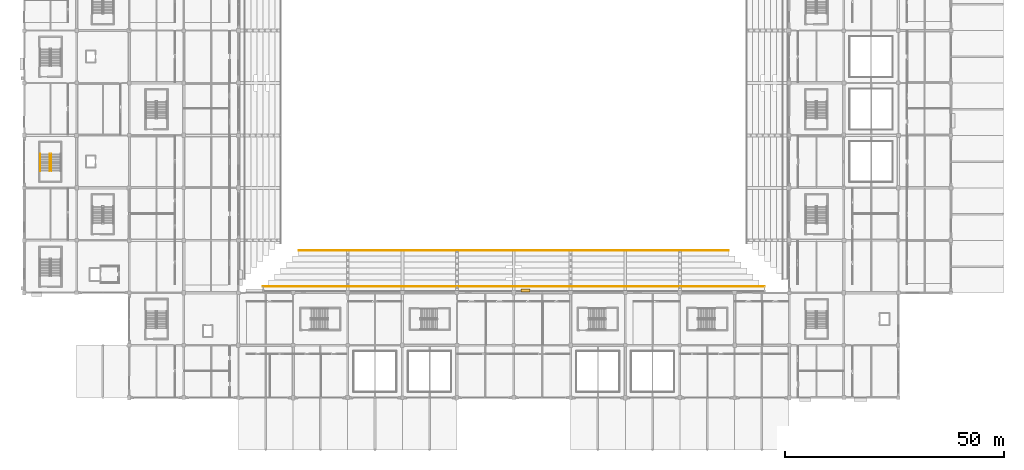
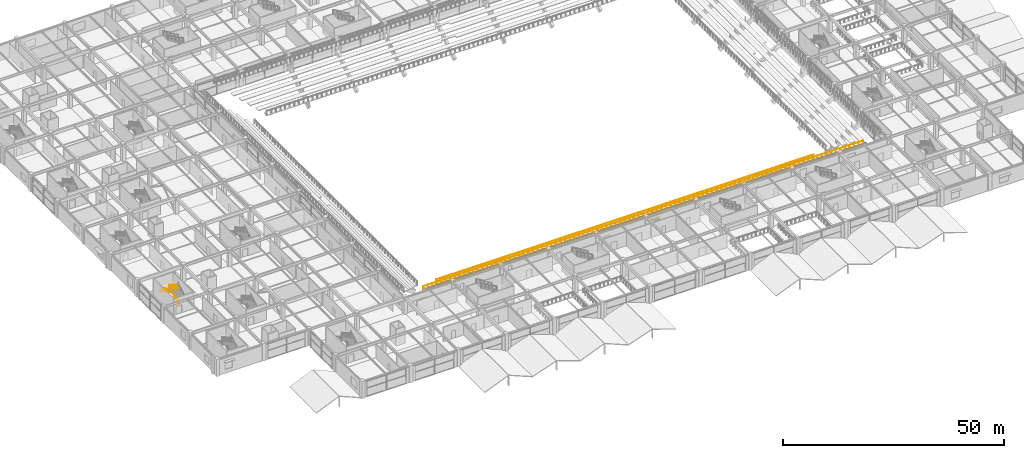
# One storey, part 103 of 134: 5 railings, 1 shading device.
"""IFC4 building model written with IfcOpenShell, lengths in metres."""

from ifc_helpers import new_model, si_unit, direction, frame, origin, origin_2d, place, context, subcontext, project, spatial, rectangle, circle, extrude, material, layer, layer_set, type_object, element, save


model = new_model("IFC4")

# Units and contexts
model_context = context("Model", 3, precision=1e-05, world=origin(), true_north=direction((0.0, 1.0)))
body_context = subcontext(model_context, "Body", "Model", "MODEL_VIEW")
ifc_project = project(units=[si_unit("LENGTHUNIT", "METRE"), si_unit("AREAUNIT", "SQUARE_METRE"), si_unit("VOLUMEUNIT", "CUBIC_METRE"), si_unit("PLANEANGLEUNIT", "RADIAN"), si_unit("MASSUNIT", "GRAM", prefix="KILO")], contexts=[model_context])

# Site, building, storey
site_placement = place(None, origin())
site = spatial("IfcSite", under=ifc_project, at=site_placement, CompositionType="ELEMENT")
building_placement = place(site_placement, origin())
building = spatial("IfcBuilding", under=site, at=building_placement, Name="Kazenohara Klinker Stadium", CompositionType="ELEMENT")
storey_placement = place(building_placement, frame((0.0, 0.0, 5.39990234375)))
storey = spatial("IfcBuildingStorey", under=building, at=storey_placement, Name="L01", CompositionType="ELEMENT", Elevation=5.39990234375)

# Railings
ifc_material_1 = material(Name="Galvanised powder-coated steel guardrail", Category="steel")
ifc_layer_1 = layer(ifc_material_1, 0.070068359375)
ifc_layer_set_1 = layer_set([ifc_layer_1], Name="Galvanised powder-coated steel guardrail")
railing_type_1 = type_object("IfcRailingType", Name="RL-GRD-1150", PredefinedType="GUARDRAIL", material=ifc_layer_set_1)
railing_1_placement = place(storey_placement, frame((54.59130859375, 37.451416015625, 3.400146484375)))
element("IfcRailing", 1, at=railing_1_placement, inside=storey, type_object=railing_type_1, Name="Spectator stand sightline guardrail TIER-LOWER-S-01-N", PredefinedType="GUARDRAIL", context=body_context, shape_type="SweptSolid", body=[
    extrude(circle(Radius=0.02392578125, at=origin_2d()), frame((0.0, 0.0, 1.1259765625), z_axis=(1.0, 0.0, 0.0), x_axis=(0.0, 1.0, 0.0)), (0.0, 0.0, 1.0), 114.8173828125),
    extrude(circle(Radius=0.02099609375, at=origin_2d()), origin(), (0.0, 0.0, 1.0), 1.101806640625),
    extrude(circle(Radius=0.02099609375, at=origin_2d()), frame((1.196044921875, 0.0, 0.0)), (0.0, 0.0, 1.0), 1.101806640625),
    extrude(circle(Radius=0.02099609375, at=origin_2d()), frame((2.39208984375, 0.0, 0.0)), (0.0, 0.0, 1.0), 1.101806640625),
    extrude(circle(Radius=0.02099609375, at=origin_2d()), frame((3.588134765625, 0.0, 0.0)), (0.0, 0.0, 1.0), 1.101806640625),
    extrude(circle(Radius=0.02099609375, at=origin_2d()), frame((4.7841796875, 0.0, 0.0)), (0.0, 0.0, 1.0), 1.101806640625),
    extrude(circle(Radius=0.02099609375, at=origin_2d()), frame((5.97998046875, 0.0, 0.0)), (0.0, 0.0, 1.0), 1.101806640625),
    extrude(circle(Radius=0.02099609375, at=origin_2d()), frame((7.176025390625, 0.0, 0.0)), (0.0, 0.0, 1.0), 1.101806640625),
    extrude(circle(Radius=0.02099609375, at=origin_2d()), frame((8.3720703125, 0.0, 0.0)), (0.0, 0.0, 1.0), 1.101806640625),
    extrude(circle(Radius=0.02099609375, at=origin_2d()), frame((9.568115234375, 0.0, 0.0)), (0.0, 0.0, 1.0), 1.101806640625),
    extrude(circle(Radius=0.02099609375, at=origin_2d()), frame((10.76416015625, 0.0, 0.0)), (0.0, 0.0, 1.0), 1.101806640625),
    extrude(circle(Radius=0.02099609375, at=origin_2d()), frame((11.960205078125, 0.0, 0.0)), (0.0, 0.0, 1.0), 1.101806640625),
    extrude(circle(Radius=0.02099609375, at=origin_2d()), frame((13.15625, 0.0, 0.0)), (0.0, 0.0, 1.0), 1.101806640625),
    extrude(circle(Radius=0.02099609375, at=origin_2d()), frame((14.35205078125, 0.0, 0.0)), (0.0, 0.0, 1.0), 1.101806640625),
    extrude(circle(Radius=0.02099609375, at=origin_2d()), frame((15.548095703125, 0.0, 0.0)), (0.0, 0.0, 1.0), 1.101806640625),
    extrude(circle(Radius=0.02099609375, at=origin_2d()), frame((16.744140625, 0.0, 0.0)), (0.0, 0.0, 1.0), 1.101806640625),
    extrude(circle(Radius=0.02099609375, at=origin_2d()), frame((17.940185546875, 0.0, 0.0)), (0.0, 0.0, 1.0), 1.101806640625),
    extrude(circle(Radius=0.02099609375, at=origin_2d()), frame((19.13623046875, 0.0, 0.0)), (0.0, 0.0, 1.0), 1.101806640625),
    extrude(circle(Radius=0.02099609375, at=origin_2d()), frame((20.332275390625, 0.0, 0.0)), (0.0, 0.0, 1.0), 1.101806640625),
    extrude(circle(Radius=0.02099609375, at=origin_2d()), frame((21.5283203125, 0.0, 0.0)), (0.0, 0.0, 1.0), 1.101806640625),
    extrude(circle(Radius=0.02099609375, at=origin_2d()), frame((22.724365234375, 0.0, 0.0)), (0.0, 0.0, 1.0), 1.101806640625),
    extrude(circle(Radius=0.02099609375, at=origin_2d()), frame((23.92041015625, 0.0, 0.0)), (0.0, 0.0, 1.0), 1.101806640625),
    extrude(circle(Radius=0.02099609375, at=origin_2d()), frame((25.1162109375, 0.0, 0.0)), (0.0, 0.0, 1.0), 1.101806640625),
    extrude(circle(Radius=0.02099609375, at=origin_2d()), frame((26.312255859375, 0.0, 0.0)), (0.0, 0.0, 1.0), 1.101806640625),
    extrude(circle(Radius=0.02099609375, at=origin_2d()), frame((27.50830078125, 0.0, 0.0)), (0.0, 0.0, 1.0), 1.101806640625),
    extrude(circle(Radius=0.02099609375, at=origin_2d()), frame((28.704345703125, 0.0, 0.0)), (0.0, 0.0, 1.0), 1.101806640625),
    extrude(circle(Radius=0.02099609375, at=origin_2d()), frame((29.900390625, 0.0, 0.0)), (0.0, 0.0, 1.0), 1.101806640625),
    extrude(circle(Radius=0.02099609375, at=origin_2d()), frame((31.096435546875, 0.0, 0.0)), (0.0, 0.0, 1.0), 1.101806640625),
    extrude(circle(Radius=0.02099609375, at=origin_2d()), frame((32.29248046875, 0.0, 0.0)), (0.0, 0.0, 1.0), 1.101806640625),
    extrude(circle(Radius=0.02099609375, at=origin_2d()), frame((33.48828125, 0.0, 0.0)), (0.0, 0.0, 1.0), 1.101806640625),
    extrude(circle(Radius=0.02099609375, at=origin_2d()), frame((34.684326171875, 0.0, 0.0)), (0.0, 0.0, 1.0), 1.101806640625),
    extrude(circle(Radius=0.02099609375, at=origin_2d()), frame((35.88037109375, 0.0, 0.0)), (0.0, 0.0, 1.0), 1.101806640625),
    extrude(circle(Radius=0.02099609375, at=origin_2d()), frame((37.076416015625, 0.0, 0.0)), (0.0, 0.0, 1.0), 1.101806640625),
    extrude(circle(Radius=0.02099609375, at=origin_2d()), frame((38.2724609375, 0.0, 0.0)), (0.0, 0.0, 1.0), 1.101806640625),
    extrude(circle(Radius=0.02099609375, at=origin_2d()), frame((39.468505859375, 0.0, 0.0)), (0.0, 0.0, 1.0), 1.101806640625),
    extrude(circle(Radius=0.02099609375, at=origin_2d()), frame((40.66455078125, 0.0, 0.0)), (0.0, 0.0, 1.0), 1.101806640625),
    extrude(circle(Radius=0.02099609375, at=origin_2d()), frame((41.860595703125, 0.0, 0.0)), (0.0, 0.0, 1.0), 1.101806640625),
    extrude(circle(Radius=0.02099609375, at=origin_2d()), frame((43.056640625, 0.0, 0.0)), (0.0, 0.0, 1.0), 1.101806640625),
    extrude(circle(Radius=0.02099609375, at=origin_2d()), frame((44.25244140625, 0.0, 0.0)), (0.0, 0.0, 1.0), 1.101806640625),
    extrude(circle(Radius=0.02099609375, at=origin_2d()), frame((45.448486328125, 0.0, 0.0)), (0.0, 0.0, 1.0), 1.101806640625),
    extrude(circle(Radius=0.02099609375, at=origin_2d()), frame((46.64453125, 0.0, 0.0)), (0.0, 0.0, 1.0), 1.101806640625),
    extrude(circle(Radius=0.02099609375, at=origin_2d()), frame((47.840576171875, 0.0, 0.0)), (0.0, 0.0, 1.0), 1.101806640625),
    extrude(circle(Radius=0.02099609375, at=origin_2d()), frame((49.03662109375, 0.0, 0.0)), (0.0, 0.0, 1.0), 1.101806640625),
    extrude(circle(Radius=0.02099609375, at=origin_2d()), frame((50.232666015625, 0.0, 0.0)), (0.0, 0.0, 1.0), 1.101806640625),
    extrude(circle(Radius=0.02099609375, at=origin_2d()), frame((51.4287109375, 0.0, 0.0)), (0.0, 0.0, 1.0), 1.101806640625),
    extrude(circle(Radius=0.02099609375, at=origin_2d()), frame((52.62451171875, 0.0, 0.0)), (0.0, 0.0, 1.0), 1.101806640625),
    extrude(circle(Radius=0.02099609375, at=origin_2d()), frame((53.820556640625, 0.0, 0.0)), (0.0, 0.0, 1.0), 1.101806640625),
    extrude(circle(Radius=0.02099609375, at=origin_2d()), frame((55.0166015625, 0.0, 0.0)), (0.0, 0.0, 1.0), 1.101806640625),
    extrude(circle(Radius=0.02099609375, at=origin_2d()), frame((56.212646484375, 0.0, 0.0)), (0.0, 0.0, 1.0), 1.101806640625),
    extrude(circle(Radius=0.02099609375, at=origin_2d()), frame((57.40869140625, 0.0, 0.0)), (0.0, 0.0, 1.0), 1.101806640625),
    extrude(circle(Radius=0.02099609375, at=origin_2d()), frame((58.604736328125, 0.0, 0.0)), (0.0, 0.0, 1.0), 1.101806640625),
    extrude(circle(Radius=0.02099609375, at=origin_2d()), frame((59.80078125, 0.0, 0.0)), (0.0, 0.0, 1.0), 1.101806640625),
    extrude(circle(Radius=0.02099609375, at=origin_2d()), frame((60.996826171875, 0.0, 0.0)), (0.0, 0.0, 1.0), 1.101806640625),
    extrude(circle(Radius=0.02099609375, at=origin_2d()), frame((62.192626953125, 0.0, 0.0)), (0.0, 0.0, 1.0), 1.101806640625),
    extrude(circle(Radius=0.02099609375, at=origin_2d()), frame((63.388671875, 0.0, 0.0)), (0.0, 0.0, 1.0), 1.101806640625),
    extrude(circle(Radius=0.02099609375, at=origin_2d()), frame((64.584716796875, 0.0, 0.0)), (0.0, 0.0, 1.0), 1.101806640625),
    extrude(circle(Radius=0.02099609375, at=origin_2d()), frame((65.78076171875, 0.0, 0.0)), (0.0, 0.0, 1.0), 1.101806640625),
    extrude(circle(Radius=0.02099609375, at=origin_2d()), frame((66.976806640625, 0.0, 0.0)), (0.0, 0.0, 1.0), 1.101806640625),
    extrude(circle(Radius=0.02099609375, at=origin_2d()), frame((68.1728515625, 0.0, 0.0)), (0.0, 0.0, 1.0), 1.101806640625),
    extrude(circle(Radius=0.02099609375, at=origin_2d()), frame((69.368896484375, 0.0, 0.0)), (0.0, 0.0, 1.0), 1.101806640625),
    extrude(circle(Radius=0.02099609375, at=origin_2d()), frame((70.56494140625, 0.0, 0.0)), (0.0, 0.0, 1.0), 1.101806640625),
    extrude(circle(Radius=0.02099609375, at=origin_2d()), frame((71.7607421875, 0.0, 0.0)), (0.0, 0.0, 1.0), 1.101806640625),
    extrude(circle(Radius=0.02099609375, at=origin_2d()), frame((72.956787109375, 0.0, 0.0)), (0.0, 0.0, 1.0), 1.101806640625),
    extrude(circle(Radius=0.02099609375, at=origin_2d()), frame((74.15283203125, 0.0, 0.0)), (0.0, 0.0, 1.0), 1.101806640625),
    extrude(circle(Radius=0.02099609375, at=origin_2d()), frame((75.348876953125, 0.0, 0.0)), (0.0, 0.0, 1.0), 1.101806640625),
    extrude(circle(Radius=0.02099609375, at=origin_2d()), frame((76.544921875, 0.0, 0.0)), (0.0, 0.0, 1.0), 1.101806640625),
    extrude(circle(Radius=0.02099609375, at=origin_2d()), frame((77.740966796875, 0.0, 0.0)), (0.0, 0.0, 1.0), 1.101806640625),
    extrude(circle(Radius=0.02099609375, at=origin_2d()), frame((78.93701171875, 0.0, 0.0)), (0.0, 0.0, 1.0), 1.101806640625),
    extrude(circle(Radius=0.02099609375, at=origin_2d()), frame((80.133056640625, 0.0, 0.0)), (0.0, 0.0, 1.0), 1.101806640625),
    extrude(circle(Radius=0.02099609375, at=origin_2d()), frame((81.3291015625, 0.0, 0.0)), (0.0, 0.0, 1.0), 1.101806640625),
    extrude(circle(Radius=0.02099609375, at=origin_2d()), frame((82.52490234375, 0.0, 0.0)), (0.0, 0.0, 1.0), 1.101806640625),
    extrude(circle(Radius=0.02099609375, at=origin_2d()), frame((83.720947265625, 0.0, 0.0)), (0.0, 0.0, 1.0), 1.101806640625),
    extrude(circle(Radius=0.02099609375, at=origin_2d()), frame((84.9169921875, 0.0, 0.0)), (0.0, 0.0, 1.0), 1.101806640625),
    extrude(circle(Radius=0.02099609375, at=origin_2d()), frame((86.113037109375, 0.0, 0.0)), (0.0, 0.0, 1.0), 1.101806640625),
    extrude(circle(Radius=0.02099609375, at=origin_2d()), frame((87.30908203125, 0.0, 0.0)), (0.0, 0.0, 1.0), 1.101806640625),
    extrude(circle(Radius=0.02099609375, at=origin_2d()), frame((88.505126953125, 0.0, 0.0)), (0.0, 0.0, 1.0), 1.101806640625),
    extrude(circle(Radius=0.02099609375, at=origin_2d()), frame((89.701171875, 0.0, 0.0)), (0.0, 0.0, 1.0), 1.101806640625),
    extrude(circle(Radius=0.02099609375, at=origin_2d()), frame((90.89697265625, 0.0, 0.0)), (0.0, 0.0, 1.0), 1.101806640625),
    extrude(circle(Radius=0.02099609375, at=origin_2d()), frame((92.093017578125, 0.0, 0.0)), (0.0, 0.0, 1.0), 1.101806640625),
    extrude(circle(Radius=0.02099609375, at=origin_2d()), frame((93.2890625, 0.0, 0.0)), (0.0, 0.0, 1.0), 1.101806640625),
    extrude(circle(Radius=0.02099609375, at=origin_2d()), frame((94.485107421875, 0.0, 0.0)), (0.0, 0.0, 1.0), 1.101806640625),
    extrude(circle(Radius=0.02099609375, at=origin_2d()), frame((95.68115234375, 0.0, 0.0)), (0.0, 0.0, 1.0), 1.101806640625),
    extrude(circle(Radius=0.02099609375, at=origin_2d()), frame((96.877197265625, 0.0, 0.0)), (0.0, 0.0, 1.0), 1.101806640625),
    extrude(circle(Radius=0.02099609375, at=origin_2d()), frame((98.0732421875, 0.0, 0.0)), (0.0, 0.0, 1.0), 1.101806640625),
    extrude(circle(Radius=0.02099609375, at=origin_2d()), frame((99.269287109375, 0.0, 0.0)), (0.0, 0.0, 1.0), 1.101806640625),
    extrude(circle(Radius=0.02099609375, at=origin_2d()), frame((100.46533203125, 0.0, 0.0)), (0.0, 0.0, 1.0), 1.101806640625),
    extrude(circle(Radius=0.02099609375, at=origin_2d()), frame((101.6611328125, 0.0, 0.0)), (0.0, 0.0, 1.0), 1.101806640625),
    extrude(circle(Radius=0.02099609375, at=origin_2d()), frame((102.857177734375, 0.0, 0.0)), (0.0, 0.0, 1.0), 1.101806640625),
    extrude(circle(Radius=0.02099609375, at=origin_2d()), frame((104.05322265625, 0.0, 0.0)), (0.0, 0.0, 1.0), 1.101806640625),
    extrude(circle(Radius=0.02099609375, at=origin_2d()), frame((105.249267578125, 0.0, 0.0)), (0.0, 0.0, 1.0), 1.101806640625),
    extrude(circle(Radius=0.02099609375, at=origin_2d()), frame((106.4453125, 0.0, 0.0)), (0.0, 0.0, 1.0), 1.101806640625),
    extrude(circle(Radius=0.02099609375, at=origin_2d()), frame((107.641357421875, 0.0, 0.0)), (0.0, 0.0, 1.0), 1.101806640625),
    extrude(circle(Radius=0.02099609375, at=origin_2d()), frame((108.83740234375, 0.0, 0.0)), (0.0, 0.0, 1.0), 1.101806640625),
    extrude(circle(Radius=0.02099609375, at=origin_2d()), frame((110.033203125, 0.0, 0.0)), (0.0, 0.0, 1.0), 1.101806640625),
    extrude(circle(Radius=0.02099609375, at=origin_2d()), frame((111.229248046875, 0.0, 0.0)), (0.0, 0.0, 1.0), 1.101806640625),
    extrude(circle(Radius=0.02099609375, at=origin_2d()), frame((112.42529296875, 0.0, 0.0)), (0.0, 0.0, 1.0), 1.101806640625),
    extrude(circle(Radius=0.02099609375, at=origin_2d()), frame((113.621337890625, 0.0, 0.0)), (0.0, 0.0, 1.0), 1.101806640625),
    extrude(circle(Radius=0.02099609375, at=origin_2d()), frame((114.8173828125, 0.0, 0.0)), (0.0, 0.0, 1.0), 1.101806640625),
])
railing_2_placement = place(storey_placement, frame((62.840087890625, 45.679931640625, -2.599853515625)))
element("IfcRailing", 2, at=railing_2_placement, inside=storey, type_object=railing_type_1, Name="Spectator stand sightline guardrail TIER-LOWER-S-07", PredefinedType="GUARDRAIL", context=body_context, shape_type="SweptSolid", body=[
    extrude(circle(Radius=0.02392578125, at=origin_2d()), frame((0.0, 0.0, 1.1259765625), z_axis=(1.0, 0.0, 0.0), x_axis=(0.0, 1.0, 0.0)), (0.0, 0.0, 1.0), 98.31982421875),
    extrude(circle(Radius=0.02099609375, at=origin_2d()), origin(), (0.0, 0.0, 1.0), 1.101806640625),
    extrude(circle(Radius=0.02099609375, at=origin_2d()), frame((1.198974609375, 0.0, 0.0)), (0.0, 0.0, 1.0), 1.101806640625),
    extrude(circle(Radius=0.02099609375, at=origin_2d()), frame((2.39794921875, 0.0, 0.0)), (0.0, 0.0, 1.0), 1.101806640625),
    extrude(circle(Radius=0.02099609375, at=origin_2d()), frame((3.59716796875, 0.0, 0.0)), (0.0, 0.0, 1.0), 1.101806640625),
    extrude(circle(Radius=0.02099609375, at=origin_2d()), frame((4.796142578125, 0.0, 0.0)), (0.0, 0.0, 1.0), 1.101806640625),
    extrude(circle(Radius=0.02099609375, at=origin_2d()), frame((5.9951171875, 0.0, 0.0)), (0.0, 0.0, 1.0), 1.101806640625),
    extrude(circle(Radius=0.02099609375, at=origin_2d()), frame((7.194091796875, 0.0, 0.0)), (0.0, 0.0, 1.0), 1.101806640625),
    extrude(circle(Radius=0.02099609375, at=origin_2d()), frame((8.39306640625, 0.0, 0.0)), (0.0, 0.0, 1.0), 1.101806640625),
    extrude(circle(Radius=0.02099609375, at=origin_2d()), frame((9.59228515625, 0.0, 0.0)), (0.0, 0.0, 1.0), 1.101806640625),
    extrude(circle(Radius=0.02099609375, at=origin_2d()), frame((10.791259765625, 0.0, 0.0)), (0.0, 0.0, 1.0), 1.101806640625),
    extrude(circle(Radius=0.02099609375, at=origin_2d()), frame((11.990234375, 0.0, 0.0)), (0.0, 0.0, 1.0), 1.101806640625),
    extrude(circle(Radius=0.02099609375, at=origin_2d()), frame((13.189208984375, 0.0, 0.0)), (0.0, 0.0, 1.0), 1.101806640625),
    extrude(circle(Radius=0.02099609375, at=origin_2d()), frame((14.38818359375, 0.0, 0.0)), (0.0, 0.0, 1.0), 1.101806640625),
    extrude(circle(Radius=0.02099609375, at=origin_2d()), frame((15.58740234375, 0.0, 0.0)), (0.0, 0.0, 1.0), 1.101806640625),
    extrude(circle(Radius=0.02099609375, at=origin_2d()), frame((16.786376953125, 0.0, 0.0)), (0.0, 0.0, 1.0), 1.101806640625),
    extrude(circle(Radius=0.02099609375, at=origin_2d()), frame((17.9853515625, 0.0, 0.0)), (0.0, 0.0, 1.0), 1.101806640625),
    extrude(circle(Radius=0.02099609375, at=origin_2d()), frame((19.184326171875, 0.0, 0.0)), (0.0, 0.0, 1.0), 1.101806640625),
    extrude(circle(Radius=0.02099609375, at=origin_2d()), frame((20.38330078125, 0.0, 0.0)), (0.0, 0.0, 1.0), 1.101806640625),
    extrude(circle(Radius=0.02099609375, at=origin_2d()), frame((21.58251953125, 0.0, 0.0)), (0.0, 0.0, 1.0), 1.101806640625),
    extrude(circle(Radius=0.02099609375, at=origin_2d()), frame((22.781494140625, 0.0, 0.0)), (0.0, 0.0, 1.0), 1.101806640625),
    extrude(circle(Radius=0.02099609375, at=origin_2d()), frame((23.98046875, 0.0, 0.0)), (0.0, 0.0, 1.0), 1.101806640625),
    extrude(circle(Radius=0.02099609375, at=origin_2d()), frame((25.179443359375, 0.0, 0.0)), (0.0, 0.0, 1.0), 1.101806640625),
    extrude(circle(Radius=0.02099609375, at=origin_2d()), frame((26.37841796875, 0.0, 0.0)), (0.0, 0.0, 1.0), 1.101806640625),
    extrude(circle(Radius=0.02099609375, at=origin_2d()), frame((27.577392578125, 0.0, 0.0)), (0.0, 0.0, 1.0), 1.101806640625),
    extrude(circle(Radius=0.02099609375, at=origin_2d()), frame((28.776611328125, 0.0, 0.0)), (0.0, 0.0, 1.0), 1.101806640625),
    extrude(circle(Radius=0.02099609375, at=origin_2d()), frame((29.9755859375, 0.0, 0.0)), (0.0, 0.0, 1.0), 1.101806640625),
    extrude(circle(Radius=0.02099609375, at=origin_2d()), frame((31.174560546875, 0.0, 0.0)), (0.0, 0.0, 1.0), 1.101806640625),
    extrude(circle(Radius=0.02099609375, at=origin_2d()), frame((32.37353515625, 0.0, 0.0)), (0.0, 0.0, 1.0), 1.101806640625),
    extrude(circle(Radius=0.02099609375, at=origin_2d()), frame((33.572509765625, 0.0, 0.0)), (0.0, 0.0, 1.0), 1.101806640625),
    extrude(circle(Radius=0.02099609375, at=origin_2d()), frame((34.771728515625, 0.0, 0.0)), (0.0, 0.0, 1.0), 1.101806640625),
    extrude(circle(Radius=0.02099609375, at=origin_2d()), frame((35.970703125, 0.0, 0.0)), (0.0, 0.0, 1.0), 1.101806640625),
    extrude(circle(Radius=0.02099609375, at=origin_2d()), frame((37.169677734375, 0.0, 0.0)), (0.0, 0.0, 1.0), 1.101806640625),
    extrude(circle(Radius=0.02099609375, at=origin_2d()), frame((38.36865234375, 0.0, 0.0)), (0.0, 0.0, 1.0), 1.101806640625),
    extrude(circle(Radius=0.02099609375, at=origin_2d()), frame((39.567626953125, 0.0, 0.0)), (0.0, 0.0, 1.0), 1.101806640625),
    extrude(circle(Radius=0.02099609375, at=origin_2d()), frame((40.766845703125, 0.0, 0.0)), (0.0, 0.0, 1.0), 1.101806640625),
    extrude(circle(Radius=0.02099609375, at=origin_2d()), frame((41.9658203125, 0.0, 0.0)), (0.0, 0.0, 1.0), 1.101806640625),
    extrude(circle(Radius=0.02099609375, at=origin_2d()), frame((43.164794921875, 0.0, 0.0)), (0.0, 0.0, 1.0), 1.101806640625),
    extrude(circle(Radius=0.02099609375, at=origin_2d()), frame((44.36376953125, 0.0, 0.0)), (0.0, 0.0, 1.0), 1.101806640625),
    extrude(circle(Radius=0.02099609375, at=origin_2d()), frame((45.562744140625, 0.0, 0.0)), (0.0, 0.0, 1.0), 1.101806640625),
    extrude(circle(Radius=0.02099609375, at=origin_2d()), frame((46.761962890625, 0.0, 0.0)), (0.0, 0.0, 1.0), 1.101806640625),
    extrude(circle(Radius=0.02099609375, at=origin_2d()), frame((47.9609375, 0.0, 0.0)), (0.0, 0.0, 1.0), 1.101806640625),
    extrude(circle(Radius=0.02099609375, at=origin_2d()), frame((49.159912109375, 0.0, 0.0)), (0.0, 0.0, 1.0), 1.101806640625),
    extrude(circle(Radius=0.02099609375, at=origin_2d()), frame((50.35888671875, 0.0, 0.0)), (0.0, 0.0, 1.0), 1.101806640625),
    extrude(circle(Radius=0.02099609375, at=origin_2d()), frame((51.557861328125, 0.0, 0.0)), (0.0, 0.0, 1.0), 1.101806640625),
    extrude(circle(Radius=0.02099609375, at=origin_2d()), frame((52.757080078125, 0.0, 0.0)), (0.0, 0.0, 1.0), 1.101806640625),
    extrude(circle(Radius=0.02099609375, at=origin_2d()), frame((53.9560546875, 0.0, 0.0)), (0.0, 0.0, 1.0), 1.101806640625),
    extrude(circle(Radius=0.02099609375, at=origin_2d()), frame((55.155029296875, 0.0, 0.0)), (0.0, 0.0, 1.0), 1.101806640625),
    extrude(circle(Radius=0.02099609375, at=origin_2d()), frame((56.35400390625, 0.0, 0.0)), (0.0, 0.0, 1.0), 1.101806640625),
    extrude(circle(Radius=0.02099609375, at=origin_2d()), frame((57.552978515625, 0.0, 0.0)), (0.0, 0.0, 1.0), 1.101806640625),
    extrude(circle(Radius=0.02099609375, at=origin_2d()), frame((58.752197265625, 0.0, 0.0)), (0.0, 0.0, 1.0), 1.101806640625),
    extrude(circle(Radius=0.02099609375, at=origin_2d()), frame((59.951171875, 0.0, 0.0)), (0.0, 0.0, 1.0), 1.101806640625),
    extrude(circle(Radius=0.02099609375, at=origin_2d()), frame((61.150146484375, 0.0, 0.0)), (0.0, 0.0, 1.0), 1.101806640625),
    extrude(circle(Radius=0.02099609375, at=origin_2d()), frame((62.34912109375, 0.0, 0.0)), (0.0, 0.0, 1.0), 1.101806640625),
    extrude(circle(Radius=0.02099609375, at=origin_2d()), frame((63.548095703125, 0.0, 0.0)), (0.0, 0.0, 1.0), 1.101806640625),
    extrude(circle(Radius=0.02099609375, at=origin_2d()), frame((64.747314453125, 0.0, 0.0)), (0.0, 0.0, 1.0), 1.101806640625),
    extrude(circle(Radius=0.02099609375, at=origin_2d()), frame((65.9462890625, 0.0, 0.0)), (0.0, 0.0, 1.0), 1.101806640625),
    extrude(circle(Radius=0.02099609375, at=origin_2d()), frame((67.145263671875, 0.0, 0.0)), (0.0, 0.0, 1.0), 1.101806640625),
    extrude(circle(Radius=0.02099609375, at=origin_2d()), frame((68.34423828125, 0.0, 0.0)), (0.0, 0.0, 1.0), 1.101806640625),
    extrude(circle(Radius=0.02099609375, at=origin_2d()), frame((69.543212890625, 0.0, 0.0)), (0.0, 0.0, 1.0), 1.101806640625),
    extrude(circle(Radius=0.02099609375, at=origin_2d()), frame((70.742431640625, 0.0, 0.0)), (0.0, 0.0, 1.0), 1.101806640625),
    extrude(circle(Radius=0.02099609375, at=origin_2d()), frame((71.94140625, 0.0, 0.0)), (0.0, 0.0, 1.0), 1.101806640625),
    extrude(circle(Radius=0.02099609375, at=origin_2d()), frame((73.140380859375, 0.0, 0.0)), (0.0, 0.0, 1.0), 1.101806640625),
    extrude(circle(Radius=0.02099609375, at=origin_2d()), frame((74.33935546875, 0.0, 0.0)), (0.0, 0.0, 1.0), 1.101806640625),
    extrude(circle(Radius=0.02099609375, at=origin_2d()), frame((75.538330078125, 0.0, 0.0)), (0.0, 0.0, 1.0), 1.101806640625),
    extrude(circle(Radius=0.02099609375, at=origin_2d()), frame((76.7373046875, 0.0, 0.0)), (0.0, 0.0, 1.0), 1.101806640625),
    extrude(circle(Radius=0.02099609375, at=origin_2d()), frame((77.9365234375, 0.0, 0.0)), (0.0, 0.0, 1.0), 1.101806640625),
    extrude(circle(Radius=0.02099609375, at=origin_2d()), frame((79.135498046875, 0.0, 0.0)), (0.0, 0.0, 1.0), 1.101806640625),
    extrude(circle(Radius=0.02099609375, at=origin_2d()), frame((80.33447265625, 0.0, 0.0)), (0.0, 0.0, 1.0), 1.101806640625),
    extrude(circle(Radius=0.02099609375, at=origin_2d()), frame((81.533447265625, 0.0, 0.0)), (0.0, 0.0, 1.0), 1.101806640625),
    extrude(circle(Radius=0.02099609375, at=origin_2d()), frame((82.732421875, 0.0, 0.0)), (0.0, 0.0, 1.0), 1.101806640625),
    extrude(circle(Radius=0.02099609375, at=origin_2d()), frame((83.931640625, 0.0, 0.0)), (0.0, 0.0, 1.0), 1.101806640625),
    extrude(circle(Radius=0.02099609375, at=origin_2d()), frame((85.130615234375, 0.0, 0.0)), (0.0, 0.0, 1.0), 1.101806640625),
    extrude(circle(Radius=0.02099609375, at=origin_2d()), frame((86.32958984375, 0.0, 0.0)), (0.0, 0.0, 1.0), 1.101806640625),
    extrude(circle(Radius=0.02099609375, at=origin_2d()), frame((87.528564453125, 0.0, 0.0)), (0.0, 0.0, 1.0), 1.101806640625),
    extrude(circle(Radius=0.02099609375, at=origin_2d()), frame((88.7275390625, 0.0, 0.0)), (0.0, 0.0, 1.0), 1.101806640625),
    extrude(circle(Radius=0.02099609375, at=origin_2d()), frame((89.9267578125, 0.0, 0.0)), (0.0, 0.0, 1.0), 1.101806640625),
    extrude(circle(Radius=0.02099609375, at=origin_2d()), frame((91.125732421875, 0.0, 0.0)), (0.0, 0.0, 1.0), 1.101806640625),
    extrude(circle(Radius=0.02099609375, at=origin_2d()), frame((92.32470703125, 0.0, 0.0)), (0.0, 0.0, 1.0), 1.101806640625),
    extrude(circle(Radius=0.02099609375, at=origin_2d()), frame((93.523681640625, 0.0, 0.0)), (0.0, 0.0, 1.0), 1.101806640625),
    extrude(circle(Radius=0.02099609375, at=origin_2d()), frame((94.72265625, 0.0, 0.0)), (0.0, 0.0, 1.0), 1.101806640625),
    extrude(circle(Radius=0.02099609375, at=origin_2d()), frame((95.921875, 0.0, 0.0)), (0.0, 0.0, 1.0), 1.101806640625),
    extrude(circle(Radius=0.02099609375, at=origin_2d()), frame((97.120849609375, 0.0, 0.0)), (0.0, 0.0, 1.0), 1.101806640625),
    extrude(circle(Radius=0.02099609375, at=origin_2d()), frame((98.31982421875, 0.0, 0.0)), (0.0, 0.0, 1.0), 1.101806640625),
])
ifc_material_2 = material(Name="Brushed stainless steel 304 handrail", Category="steel")
ifc_layer_2 = layer(ifc_material_2, 0.050048828125)
ifc_layer_set_2 = layer_set([ifc_layer_2], Name="Brushed stainless steel 304 handrail")
railing_type_2 = type_object("IfcRailingType", Name="RL-HND-900", PredefinedType="HANDRAIL", material=ifc_layer_set_2)
railing_3_placement = place(storey_placement, frame((3.639892578125, 67.77001953125, 2.56005859375)))
element("IfcRailing", 3, at=railing_3_placement, inside=storey, type_object=railing_type_2, Name="L01 ST02 stair handrail 2", PredefinedType="HANDRAIL", context=body_context, shape_type="SweptSolid", body=[
    extrude(circle(Radius=0.02392578125, at=origin_2d()), frame((0.0, 0.0, 0.8759765625), z_axis=(0.0, -0.868239814368, 0.496144761885), x_axis=(1.0, 0.0, 0.0)), (0.0, 0.0, 1.0), 4.514892578125),
    extrude(circle(Radius=0.02099609375, at=origin_2d()), origin(), (0.0, 0.0, 1.0), 0.851806640625),
    extrude(circle(Radius=0.02099609375, at=origin_2d()), frame((0.0, -0.97998046875, 0.56005859375)), (0.0, 0.0, 1.0), 0.851806640625),
    extrude(circle(Radius=0.02099609375, at=origin_2d()), frame((0.0, -1.9599609375, 1.1201171875)), (0.0, 0.0, 1.0), 0.851806640625),
    extrude(circle(Radius=0.02099609375, at=origin_2d()), frame((0.0, -2.93994140625, 1.679931640625)), (0.0, 0.0, 1.0), 0.851806640625),
    extrude(circle(Radius=0.02099609375, at=origin_2d()), frame((0.0, -3.919921875, 2.239990234375)), (0.0, 0.0, 1.0), 0.851806640625),
])
ifc_material_3 = material(Name="Painted steel stairwell guardrail", Category="steel")
ifc_layer_3 = layer(ifc_material_3, 0.06005859375)
ifc_layer_set_3 = layer_set([ifc_layer_3], Name="Painted steel stairwell guardrail")
railing_type_3 = type_object("IfcRailingType", Name="RL-STG-1120", PredefinedType="GUARDRAIL", material=ifc_layer_set_3)
railing_4_placement = place(storey_placement, frame((6.14990234375, 63.85009765625, 0.16015625)))
element("IfcRailing", 4, at=railing_4_placement, inside=storey, type_object=railing_type_3, Name="L01 ST02 stair guard 1", PredefinedType="GUARDRAIL", context=body_context, shape_type="SweptSolid", body=[
    extrude(circle(Radius=0.02392578125, at=origin_2d()), frame((0.0, 0.0, 1.1259765625), z_axis=(0.0, 0.868239814368, 0.496144761885), x_axis=(-1.0, 0.0, 0.0)), (0.0, 0.0, 1.0), 4.514892578125),
    extrude(circle(Radius=0.02099609375, at=origin_2d()), origin(), (0.0, 0.0, 1.0), 1.101806640625),
    extrude(circle(Radius=0.02099609375, at=origin_2d()), frame((0.0, 0.97998046875, 0.56005859375)), (0.0, 0.0, 1.0), 1.101806640625),
    extrude(circle(Radius=0.02099609375, at=origin_2d()), frame((0.0, 1.9599609375, 1.1201171875)), (0.0, 0.0, 1.0), 1.101806640625),
    extrude(circle(Radius=0.02099609375, at=origin_2d()), frame((0.0, 2.93994140625, 1.679931640625)), (0.0, 0.0, 1.0), 1.101806640625),
    extrude(circle(Radius=0.02099609375, at=origin_2d()), frame((0.0, 3.919921875, 2.239990234375)), (0.0, 0.0, 1.0), 1.101806640625),
])
railing_5_placement = place(storey_placement, frame((5.85009765625, 67.77001953125, 2.56005859375)))
element("IfcRailing", 5, at=railing_5_placement, inside=storey, type_object=railing_type_3, Name="L01 ST02 stair guard 3", PredefinedType="GUARDRAIL", context=body_context, shape_type="SweptSolid", body=[
    extrude(circle(Radius=0.02392578125, at=origin_2d()), frame((0.0, 0.0, 1.1259765625), z_axis=(0.0, -0.868239814368, 0.496144761885), x_axis=(1.0, 0.0, 0.0)), (0.0, 0.0, 1.0), 4.514892578125),
    extrude(circle(Radius=0.02099609375, at=origin_2d()), origin(), (0.0, 0.0, 1.0), 1.101806640625),
    extrude(circle(Radius=0.02099609375, at=origin_2d()), frame((0.0, -0.97998046875, 0.56005859375)), (0.0, 0.0, 1.0), 1.101806640625),
    extrude(circle(Radius=0.02099609375, at=origin_2d()), frame((0.0, -1.9599609375, 1.1201171875)), (0.0, 0.0, 1.0), 1.101806640625),
    extrude(circle(Radius=0.02099609375, at=origin_2d()), frame((0.0, -2.93994140625, 1.679931640625)), (0.0, 0.0, 1.0), 1.101806640625),
    extrude(circle(Radius=0.02099609375, at=origin_2d()), frame((0.0, -3.919921875, 2.239990234375)), (0.0, 0.0, 1.0), 1.101806640625),
])

# Shading device
ifc_material_4 = material(Name="Bronze-anodised aluminium snow-hood sunshade", Category="aluminium")
shading_device_type = type_object("IfcShadingDeviceType", Name="SHD-SUN-01", PredefinedType="AWNING", material=ifc_material_4)
shading_device_placement = place(storey_placement, frame((114.654052734375, 36.514892578125, 2.7001953125), z_axis=(0.0, 0.0, 1.0), x_axis=(1.0, 0.0, 0.0)))
element("IfcShadingDevice", 6, at=shading_device_placement, inside=storey, type_object=shading_device_type, Name="Bronze snow-hood sunshade SS01-07", PredefinedType="AWNING", context=body_context, shape_type="SweptSolid", body=[
    extrude(rectangle(XDim=2.0, YDim=0.699951171875, at=origin_2d()), origin(), (0.0, 0.0, 1.0), 0.159912109375),
])

save(model, "model.ifc")
